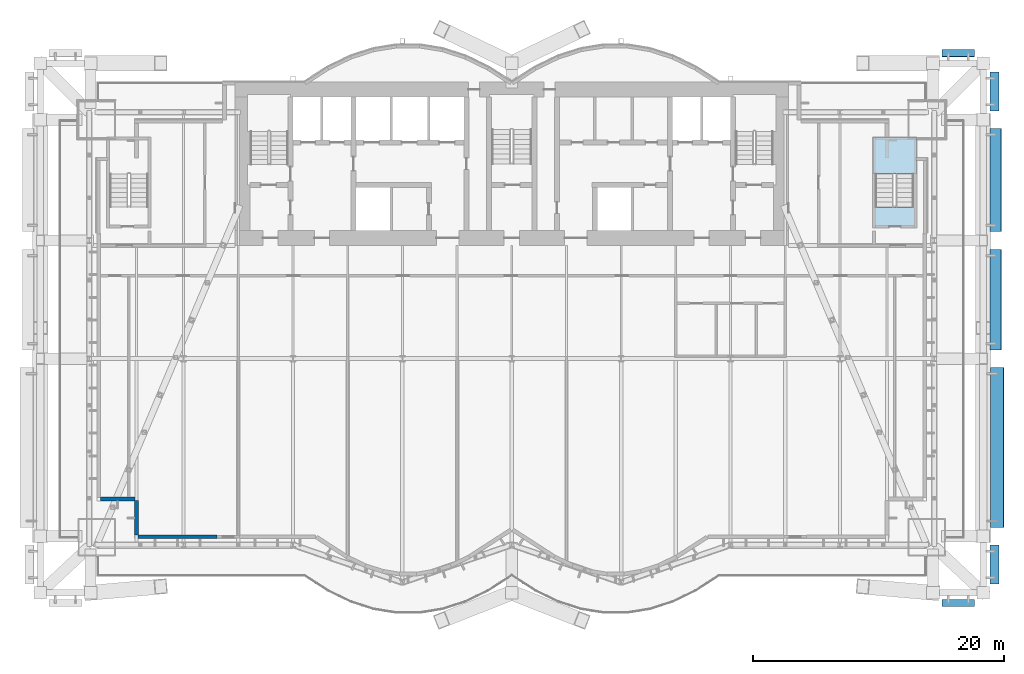
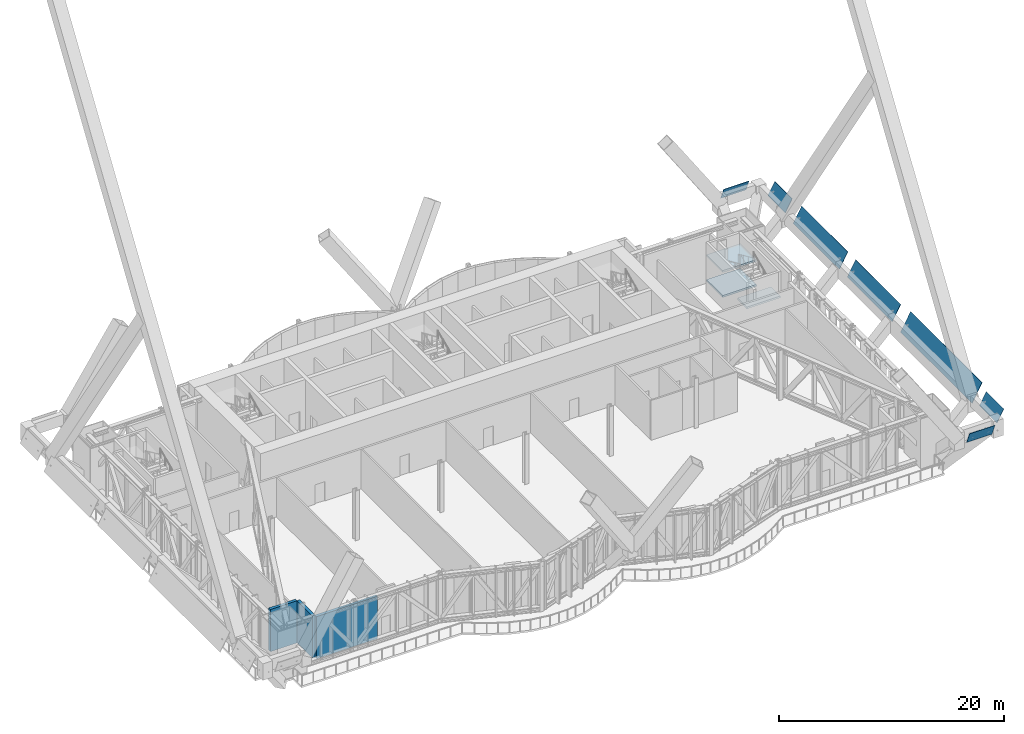
# One storey, part 24 of 32: 7 plates, 3 slabs, 3 walls, 1 element without a shape of its own.
"""IFC4 building model written with IfcOpenShell, lengths in metres."""

from ifc_helpers import new_model, si_unit, direction, frame, frame_2d, origin, place, context, subcontext, project, spatial, polyline, rectangle, outline, extrude, material, layer, layer_set, layer_usage, type_object, element, aggregate, save


model = new_model("IFC4")

# Units and contexts
model_context = context("Model", 3, precision=1e-05, world=origin(), true_north=direction((0.0, 1.0)))
body_context = subcontext(model_context, "Body", "Model", "MODEL_VIEW")
ifc_project = project(units=[si_unit("LENGTHUNIT", "METRE"), si_unit("AREAUNIT", "SQUARE_METRE"), si_unit("VOLUMEUNIT", "CUBIC_METRE"), si_unit("PLANEANGLEUNIT", "RADIAN"), si_unit("MASSUNIT", "GRAM", prefix="KILO")], contexts=[model_context])

# Site, building, storey
site_placement = place(None, origin())
site = spatial("IfcSite", under=ifc_project, at=site_placement, CompositionType="ELEMENT")
building_placement = place(site_placement, origin())
building = spatial("IfcBuilding", under=site, at=building_placement, Name="Bicima Exchange Tower", CompositionType="ELEMENT")
storey_placement = place(building_placement, frame((0.0, 0.0, 84.5)))
storey = spatial("IfcBuildingStorey", under=building, at=storey_placement, Name="L17", CompositionType="ELEMENT", Elevation=84.5)

# Plates
ifc_material_1 = material(Name="Dark tinted spandrel glass", Category="glass")
ifc_layer_1 = layer(ifc_material_1, 0.0400390625)
ifc_layer_set_1 = layer_set([ifc_layer_1], Name="Dark tinted spandrel glass")
plate_type = type_object("IfcPlateType", Name="Belt fascia glass panel 40", PredefinedType="SHEET", material=ifc_layer_set_1)
plate_1_placement = place(storey_placement, frame((34.199951171875, -41.142578125, 4.050048828125), z_axis=(0.0, 0.919715682457, 0.39258510344), x_axis=(1.0, 0.0, 0.0)))
element("IfcPlate", 1, at=plate_1_placement, inside=storey, type_object=plate_type, Name="Belt fascia glass panel", PredefinedType="SHEET", context=body_context, shape_type="SweptSolid", body=[
    extrude(outline(polyline([(0.0, 0.0), (2.60009765625, 0.0), (2.60009765625, -1.3917663048388182), (0.0, -1.3917663048388182), (0.0, 0.0)])), origin(), (0.0, 0.0, -1.0), 0.0400390625),
])
plate_2_placement = place(storey_placement, frame((38.030029296875, -39.91259765625, 4.050048828125), z_axis=(-0.876685030348, 0.0, 0.481064816386), x_axis=(0.0, 1.0, 0.0)))
element("IfcPlate", 2, at=plate_2_placement, inside=storey, type_object=plate_type, Name="Belt fascia glass panel", PredefinedType="SHEET", context=body_context, shape_type="SweptSolid", body=[
    extrude(outline(polyline([(0.0, 0.0), (3.099853515625, 0.0), (3.099853515625, -1.460078879603219), (0.0, -1.460078879603219), (0.0, 0.0)])), origin(), (0.0, 0.0, -1.0), 0.0400390625),
])
plate_3_placement = place(storey_placement, frame((38.080078125, -35.41259765625, 3.449951171875), z_axis=(-0.876674581874, 0.0, 0.481083857031), x_axis=(0.0, 1.0, 0.0)))
element("IfcPlate", 3, at=plate_3_placement, inside=storey, type_object=plate_type, Name="Belt fascia glass panel", PredefinedType="SHEET", context=body_context, shape_type="SweptSolid", body=[
    extrude(outline(polyline([(0.0, 0.0), (12.712646484375, 0.0), (12.712646484375, -2.1446121422914217), (0.0, -2.1446121422914217), (0.0, 0.0)])), origin(), (0.0, 0.0, -1.0), 0.0400390625),
])
plate_4_placement = place(storey_placement, frame((38.030029296875, -21.300048828125, 3.75), z_axis=(-0.876650248979, 0.0, 0.481128195978), x_axis=(0.0, 1.0, 0.0)))
element("IfcPlate", 4, at=plate_4_placement, inside=storey, type_object=plate_type, Name="Belt fascia glass panel", PredefinedType="SHEET", context=body_context, shape_type="SweptSolid", body=[
    extrude(outline(polyline([(0.0, 0.0), (8.0, 0.0), (8.0, -1.8024042391372048), (0.0, -1.8024042391372048), (0.0, 0.0)])), origin(), (0.0, 0.0, -1.0), 0.0400390625),
])
plate_5_placement = place(storey_placement, frame((38.030029296875, -11.89990234375, 3.75), z_axis=(-0.876650248979, 0.0, 0.481128195978), x_axis=(0.0, 1.0, 0.0)))
element("IfcPlate", 5, at=plate_5_placement, inside=storey, type_object=plate_type, Name="Belt fascia glass panel", PredefinedType="SHEET", context=body_context, shape_type="SweptSolid", body=[
    extrude(outline(polyline([(0.0, 0.0), (8.199951171875, 0.0), (8.199951171875, -1.8024042391372048), (0.0, -1.8024042391372048), (0.0, 0.0)])), origin(), (0.0, 0.0, -1.0), 0.0400390625),
])
plate_6_placement = place(storey_placement, frame((38.030029296875, -2.300048828125, 4.050048828125), z_axis=(-0.876685030348, 0.0, 0.481064816386), x_axis=(0.0, 1.0, 0.0)))
element("IfcPlate", 6, at=plate_6_placement, inside=storey, type_object=plate_type, Name="Belt fascia glass panel", PredefinedType="SHEET", context=body_context, shape_type="SweptSolid", body=[
    extrude(outline(polyline([(0.0, 0.0), (3.10009765625, 0.0), (3.10009765625, -1.4600788796032191), (0.0, -1.4600788796032191), (0.0, 0.0)])), origin(), (0.0, 0.0, -1.0), 0.0400390625),
])
plate_7_placement = place(storey_placement, frame((36.800048828125, 2.576416015625, 4.050048828125), z_axis=(0.0, 0.919715682457, 0.39258510344), x_axis=(-1.0, 0.0, 0.0)))
element("IfcPlate", 7, at=plate_7_placement, inside=storey, type_object=plate_type, Name="Belt fascia glass panel", PredefinedType="SHEET", context=body_context, shape_type="SweptSolid", body=[
    extrude(outline(polyline([(0.0, 0.0), (2.60009765625, 0.0), (2.60009765625, 1.3917663048388182), (0.0, 1.3917663048388182), (0.0, 0.0)])), origin(), (0.0, 0.0, -1.0), 0.0400390625),
])

# Stair, slabs
ifc_material_2 = material(Name="Concrete C50/60", Category="concrete")
stair_type = type_object("IfcStairType", Name="Exit stair", PredefinedType="HALF_TURN_STAIR", material=ifc_material_2)
stair_placement = place(storey_placement, origin())
stair = element("IfcStair", 8, at=stair_placement, inside=storey, type_object=stair_type, Name="L17 East end exit stair", PredefinedType="HALF_TURN_STAIR")
ifc_layer_2 = layer(ifc_material_2, 0.199951171875)
ifc_layer_set_2 = layer_set([ifc_layer_2], Name="Concrete C50/60")
slab_type = type_object("IfcSlabType", Name="Stair landing slab", PredefinedType="LANDING", material=ifc_layer_set_2)
slab_1_placement = place(storey_placement, frame((0.0, 0.0, 1.14990234375)))
slab_1 = element("IfcSlab", 9, at=slab_1_placement, type_object=slab_type, Name="ST-EE landing 1", PredefinedType="LANDING", context=body_context, shape_type="SweptSolid", body=[
    extrude(outline(polyline([(32.175048828125, -7.294921875), (32.175048828125, -4.425048828125), (28.72509765625, -4.425048828125), (28.72509765625, -7.294921875), (32.175048828125, -7.294921875)])), origin(), (0.0, 0.0, 1.0), 0.2001953125),
])
slab_2_placement = place(storey_placement, frame((0.0, 0.0, 2.5)))
slab_2 = element("IfcSlab", 10, at=slab_2_placement, type_object=slab_type, Name="ST-EE landing 2", PredefinedType="LANDING", context=body_context, shape_type="SweptSolid", body=[
    extrude(outline(polyline([(32.175048828125, -11.574951171875), (32.175048828125, -9.925048828125), (28.72509765625, -9.925048828125), (28.72509765625, -11.574951171875), (32.175048828125, -11.574951171875)])), origin(), (0.0, 0.0, 1.0), 0.199951171875),
])
slab_3_placement = place(storey_placement, frame((0.0, 0.0, 3.85009765625)))
slab_3 = element("IfcSlab", 11, at=slab_3_placement, type_object=slab_type, Name="ST-EE landing 3", PredefinedType="LANDING", context=body_context, shape_type="SweptSolid", body=[
    extrude(outline(polyline([(32.175048828125, -7.294921875), (32.175048828125, -4.425048828125), (28.72509765625, -4.425048828125), (28.72509765625, -7.294921875), (32.175048828125, -7.294921875)])), origin(), (0.0, 0.0, 1.0), 0.199951171875),
])
aggregate(stair, [slab_1, slab_2, slab_3])

# Walls
ifc_material_3 = material(Name="Concrete C40/50", Category="concrete")
ifc_layer_3 = layer(ifc_material_3, 0.3)
ifc_layer_set_3 = layer_set([ifc_layer_3], Name="Concrete C40/50")
ifc_layer_usage = layer_usage(ifc_layer_set_3, "AXIS2", "POSITIVE", -0.15)
wall_type = type_object("IfcWallType", Name="Refuge band wall 300", PredefinedType="STANDARD", material=ifc_layer_set_3)
wall_1_placement = place(storey_placement, frame((-32.72412109375, -33.166015625, 0.0), z_axis=(0.0, 0.0, 1.0), x_axis=(1.0, 0.0, 0.0)))
element("IfcWall", 12, at=wall_1_placement, inside=storey, type_object=wall_type, material=ifc_layer_usage, Name="Refuge band wall L17", PredefinedType="STANDARD", context=body_context, shape_type="SweptSolid", body=[
    extrude(rectangle(XDim=2.748291015625, YDim=0.300048828125, at=frame_2d((1.3740234375, 0.0))), origin(), (0.0, 0.0, 1.0), 4.57177734375),
])
wall_2_placement = place(storey_placement, frame((-29.85009765625, -33.2919921875, 0.0), z_axis=(0.0, 0.0, 1.0), x_axis=(0.0, -1.0, 0.0)))
element("IfcWall", 13, at=wall_2_placement, inside=storey, type_object=wall_type, material=ifc_layer_usage, Name="Refuge band wall L17", PredefinedType="STANDARD", context=body_context, shape_type="SweptSolid", body=[
    extrude(rectangle(XDim=2.748046875, YDim=0.300048828125, at=frame_2d((1.3740234375, 0.0))), origin(), (0.0, 0.0, 1.0), 4.57177734375),
])
wall_3_placement = place(storey_placement, frame((-29.72412109375, -36.166015625, 0.0), z_axis=(0.0, 0.0, 1.0), x_axis=(1.0, 0.0, 0.0)))
element("IfcWall", 14, at=wall_3_placement, inside=storey, type_object=wall_type, material=ifc_layer_usage, Name="Refuge band wall L17", PredefinedType="STANDARD", context=body_context, shape_type="SweptSolid", body=[
    extrude(rectangle(XDim=6.274169921875, YDim=0.300048828125, at=frame_2d((3.13720703125, 0.0))), origin(), (0.0, 0.0, 1.0), 4.57177734375),
])

save(model, "model.ifc")
